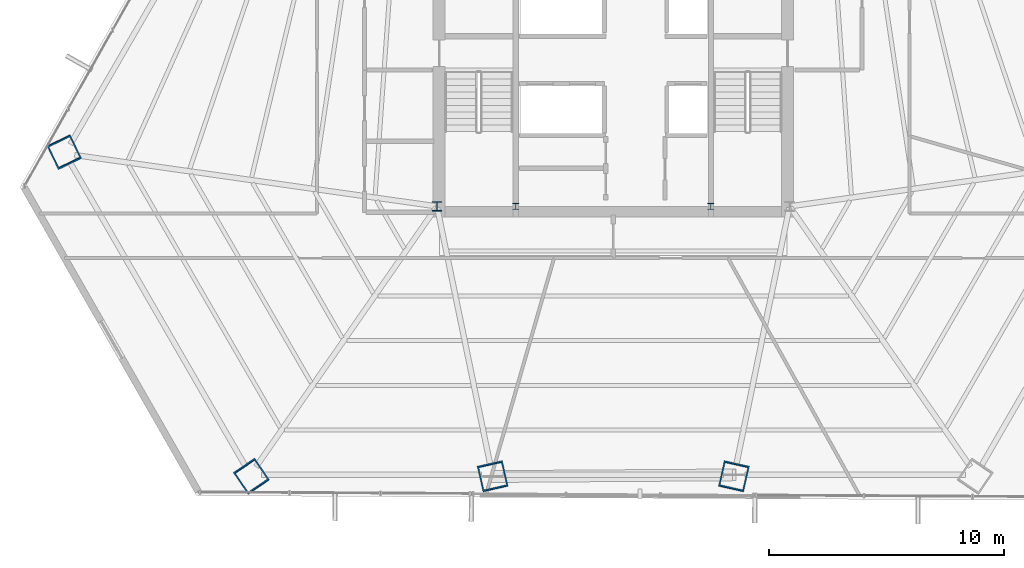
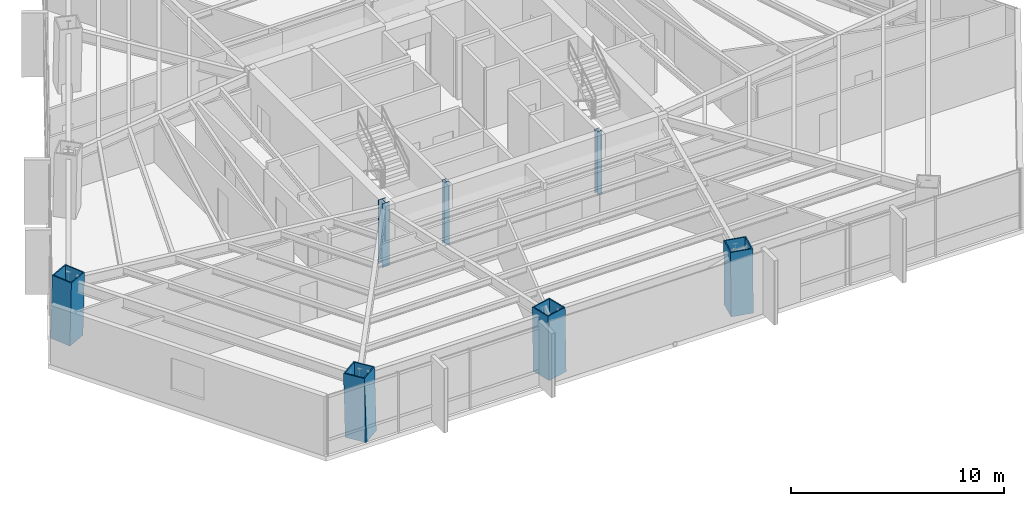
# One storey, part 1 of 36: 7 columns.
"""IFC4 building model written with IfcOpenShell, lengths in metres."""

from ifc_helpers import new_model, si_unit, direction, frame, origin, origin_2d, place, context, subcontext, project, spatial, hollow_rectangle, i_section, extrude, source, transform, mapped, material, material_profile, profile_set, type_object, type_shapes, element, save


model = new_model("IFC4")

# Units and contexts
model_context = context("Model", 3, precision=1e-05, world=origin(), true_north=direction((0.0, 1.0)))
body_context = subcontext(model_context, "Body", "Model", "MODEL_VIEW")
ifc_project = project(units=[si_unit("LENGTHUNIT", "METRE"), si_unit("AREAUNIT", "SQUARE_METRE"), si_unit("VOLUMEUNIT", "CUBIC_METRE"), si_unit("PLANEANGLEUNIT", "RADIAN"), si_unit("MASSUNIT", "GRAM", prefix="KILO")], contexts=[model_context])

# Site, building, storey
site_placement = place(None, origin())
site = spatial("IfcSite", under=ifc_project, at=site_placement, CompositionType="ELEMENT")
building_placement = place(site_placement, origin())
building = spatial("IfcBuilding", under=site, at=building_placement, Name="Caelisora Broadcast Tower", CompositionType="ELEMENT")
storey_placement = place(building_placement, frame((0.0, 0.0, 83.5)))
storey = spatial("IfcBuildingStorey", under=building, at=storey_placement, Name="L21", CompositionType="ELEMENT", Elevation=83.5)

# Columns
ifc_material_1 = material(Name="Steel Grade 350 (AS/NZS 3679.1)", Category="steel")
ifc_material_profile_1 = material_profile(ifc_material_1, i_section(OverallWidth=0.256103515625, OverallDepth=0.260009765625, WebThickness=0.010498046875, FlangeThickness=0.017333984375, at=origin_2d()), Name="Steel Grade 350 (AS/NZS 3679.1)")
ifc_profile_set_1 = profile_set([ifc_material_profile_1], Name="Steel Grade 350 (AS/NZS 3679.1)")
column_type_1 = type_object("IfcColumnType", Name="CC05", PredefinedType="COLUMN", material=ifc_profile_set_1)
shared_shape_1 = source(origin(), body_context, "Body", "SweptSolid", [
    extrude(i_section(OverallWidth=0.256103515625, OverallDepth=0.260009765625, WebThickness=0.010498046875, FlangeThickness=0.017333984375, at=origin_2d()), origin(), (0.0, 0.0, 1.0), 3.64990234375),
])
type_shapes(column_type_1, [shared_shape_1])
for number, where, z_axis, x_axis, name in (
    (1, (33.85009765625, 17.39990234375, 0.0), (0.0, 0.0, 1.0), (1.0, 0.0, 0.0), "L21 column CC05"),
    (2, (42.14990234375, 17.39990234375, 0.0), (0.0, 0.0, 1.0), (1.0, 0.0, 0.0), "L21 column CC05"),
):
    element("IfcColumn", number, at=place(storey_placement, frame(where, z_axis=z_axis, x_axis=x_axis)), inside=storey, type_object=column_type_1, Name=name, PredefinedType="COLUMN", context=body_context, shape_type="MappedRepresentation", body=[
        mapped(shared_shape_1, transform((0.0, 0.0, 0.0), scale=1.0)),
    ])
ifc_material_2 = material(Name="Steel Grade 350 (AS/NZS 3679.2)", Category="steel")
ifc_material_profile_2 = material_profile(ifc_material_2, i_section(OverallWidth=0.39990234375, OverallDepth=0.39990234375, WebThickness=0.02001953125, FlangeThickness=0.031982421875, at=origin_2d()), Name="Steel Grade 350 (AS/NZS 3679.2)")
ifc_profile_set_2 = profile_set([ifc_material_profile_2], Name="Steel Grade 350 (AS/NZS 3679.2)")
column_type_2 = type_object("IfcColumnType", Name="CC02", PredefinedType="COLUMN", material=ifc_profile_set_2)
shared_shape_2 = source(origin(), body_context, "Body", "SweptSolid", [
    extrude(i_section(OverallWidth=0.39990234375, OverallDepth=0.39990234375, WebThickness=0.02001953125, FlangeThickness=0.031982421875, at=origin_2d()), origin(), (0.0, 0.0, 1.0), 3.64990234375),
])
type_shapes(column_type_2, [shared_shape_2])
column_placement = place(storey_placement, frame((30.5, 17.39990234375, 0.0), z_axis=(0.0, 0.0, 1.0), x_axis=(1.0, 0.0, 0.0)))
element("IfcColumn", 3, at=column_placement, inside=storey, type_object=column_type_2, Name="L21 column CC02", PredefinedType="COLUMN", context=body_context, shape_type="MappedRepresentation", body=[
    mapped(shared_shape_2, transform((0.0, 0.0, 0.0), scale=1.0)),
])
ifc_material_3 = material(Name="Steel Grade 350 L15 (AS/NZS 3678)", Category="steel")
ifc_material_profile_3 = material_profile(ifc_material_3, hollow_rectangle(XDim=1.10009765625, YDim=1.10009765625, WallThickness=0.06005859375, at=origin_2d()), Name="Steel Grade 350 L15 (AS/NZS 3678)")
ifc_profile_set_3 = profile_set([ifc_material_profile_3], Name="Steel Grade 350 L15 (AS/NZS 3678)")
column_type_3 = type_object("IfcColumnType", Name="MC03", PredefinedType="COLUMN", material=ifc_profile_set_3)
shared_shape_3 = source(origin(), body_context, "Body", "SweptSolid", [
    extrude(hollow_rectangle(XDim=1.10009765625, YDim=1.10009765625, WallThickness=0.06005859375, at=origin_2d()), origin(), (0.0, 0.0, 1.0), 3.65087890625),
])
for number, where, z_axis, x_axis, name in (
    (4, (14.638671875, 19.722412109375, 0.0), (0.010364932146, -0.021532310652, 0.999714423113), (0.901042175273, 0.433731481886, 0.0), "L21 column MC03"),
    (5, (22.61474609375, 5.9072265625, 0.0), (-0.013440967269, 0.019793663242, 0.999713734673), (-0.827290216258, -0.561774775229, 0.0), "L21 column MC03"),
):
    element("IfcColumn", number, at=place(storey_placement, frame(where, z_axis=z_axis, x_axis=x_axis)), inside=storey, type_object=column_type_3, Name=name, PredefinedType="COLUMN", context=body_context, shape_type="MappedRepresentation", body=[
        mapped(shared_shape_3, transform((0.0, 0.0, 0.0), scale=1.0)),
    ])
shared_shape_4 = source(origin(), body_context, "Body", "SweptSolid", [
    extrude(hollow_rectangle(XDim=1.10009765625, YDim=1.10009765625, WallThickness=0.06005859375, at=origin_2d()), origin(), (0.0, 0.0, 1.0), 3.650634765625),
])
type_shapes(column_type_3, [shared_shape_3, shared_shape_4])
for number, where, z_axis, x_axis, name in (
    (6, (32.87158203125, 5.9072265625, 0.0), (-0.004480682206, 0.019795252729, 0.999794014513), (-0.975326687046, -0.220766513622, 0.0), "L21 column MC03"),
    (7, (43.12841796875, 5.9072265625, 0.0), (0.004480682206, 0.019795252729, 0.999794014513), (-0.975326687046, 0.220766513622, 0.0), "L21 column MC03"),
):
    element("IfcColumn", number, at=place(storey_placement, frame(where, z_axis=z_axis, x_axis=x_axis)), inside=storey, type_object=column_type_3, Name=name, PredefinedType="COLUMN", context=body_context, shape_type="MappedRepresentation", body=[
        mapped(shared_shape_4, transform((0.0, 0.0, 0.0), scale=1.0)),
    ])

save(model, "model.ifc")
